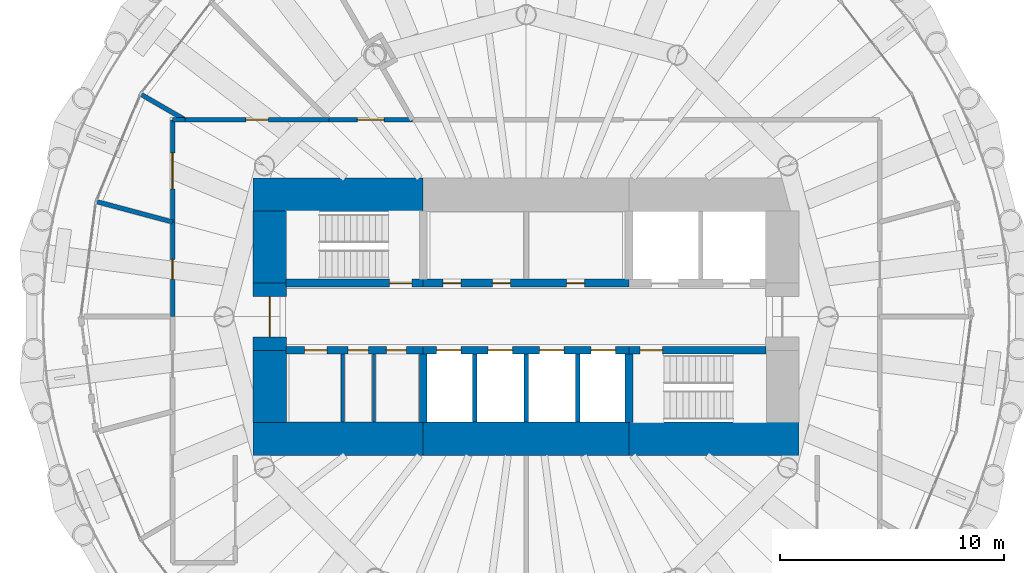
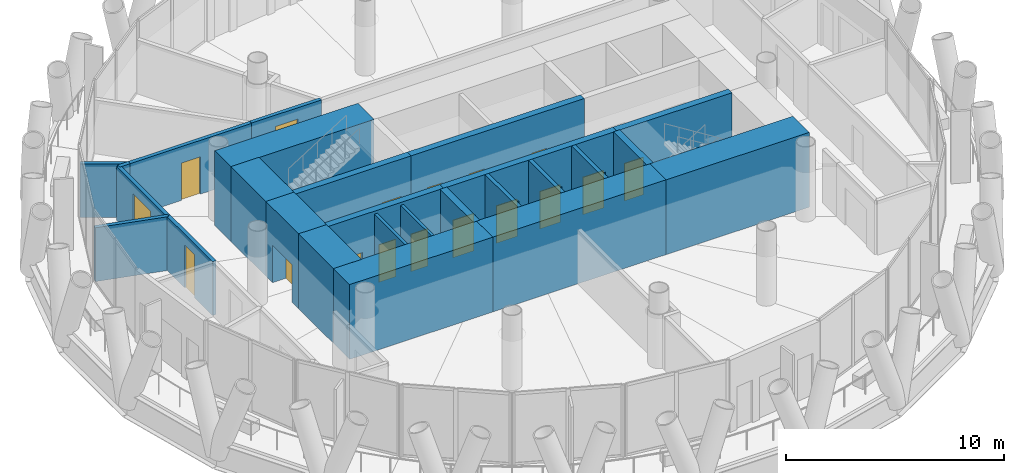
# One storey, part 10 of 16: 26 walls, 17 doors, 17 openings.
"""IFC4 building model written with IfcOpenShell, lengths in metres."""

from ifc_helpers import new_model, si_unit, direction, frame, frame_2d, origin, place, context, subcontext, project, spatial, rectangle, extrude, material, layer, layer_set, type_object, element, fill, save


model = new_model("IFC4")

# Units and contexts
model_context = context("Model", 3, precision=1e-05, world=origin(), true_north=direction((0.0, 1.0)))
body_context = subcontext(model_context, "Body", "Model", "MODEL_VIEW")
ifc_project = project(units=[si_unit("LENGTHUNIT", "METRE"), si_unit("AREAUNIT", "SQUARE_METRE"), si_unit("VOLUMEUNIT", "CUBIC_METRE"), si_unit("PLANEANGLEUNIT", "RADIAN"), si_unit("MASSUNIT", "GRAM", prefix="KILO")], contexts=[model_context])

# Site, building, storey
site_placement = place(None, origin())
site = spatial("IfcSite", under=ifc_project, at=site_placement, CompositionType="ELEMENT")
building_placement = place(site_placement, origin())
building = spatial("IfcBuilding", under=site, at=building_placement, Name="Qaws Media Tower", CompositionType="ELEMENT")
storey_placement = place(building_placement, frame((0.0, 0.0, 252.800048828125)))
storey = spatial("IfcBuildingStorey", under=building, at=storey_placement, Name="L58", CompositionType="ELEMENT", Elevation=252.800048828125)

# Wall, opening, door
ifc_material_1 = material(Name="Concrete C60/75", Category="concrete")
ifc_layer_1 = layer(ifc_material_1, 0.35009765625)
ifc_layer_set_1 = layer_set([ifc_layer_1], Name="Core inner wall 350")
wall_type_1 = type_object("IfcWallType", Name="Core inner wall 350", PredefinedType="SHEAR", material=ifc_layer_set_1)
wall_1_placement = place(storey_placement, frame((49.280029296875, 51.5, 0.0), z_axis=(0.0, 0.0, 1.0), x_axis=(1.0, 0.0, 0.0)))
wall_1 = element("IfcWall", 1, at=wall_1_placement, inside=storey, type_object=wall_type_1, Name="W301 SW5 core wall SPNW L58", PredefinedType="SHEAR", context=body_context, shape_type="SweptSolid", body=[
    extrude(rectangle(XDim=6.119873046875, YDim=0.35009765625, at=frame_2d((3.06005859375, 0.0))), origin(), (0.0, 0.0, 1.0), 4.199951171875),
])
opening_1_placement = place(wall_1_placement, frame((4.6201171875, 0.0, 0.0)))
opening_1 = element("IfcOpeningElement", 2, at=opening_1_placement, cuts=wall_1, Name="Opening D1", PredefinedType="OPENING", context=body_context, shape_type="SweptSolid", body=[
    extrude(rectangle(XDim=1.0, YDim=2.10009765625, at=frame_2d((0.5, 1.050048828125))), frame((0.0, 0.18505859375, 0.0), z_axis=(0.0, -1.0, 0.0), x_axis=(1.0, 0.0, 0.0)), (0.0, 0.0, 1.0), 0.3701171875),
])
ifc_material_2 = material(Name="Steel, fire rated", Category="steel")
door_type_1 = type_object("IfcDoorType", Name="Stair door 1000 FD120", OperationType="SINGLE_SWING_LEFT", PredefinedType="DOOR", material=ifc_material_2)
door_1_placement = place(opening_1_placement, origin())
door_1 = element("IfcDoor", 3, at=door_1_placement, inside=storey, type_object=door_type_1, Name="D1 stair S1 door L58 in wall W301", OperationType="SINGLE_SWING_LEFT", OverallHeight=2.10009765625, OverallWidth=1.0, PredefinedType="DOOR", context=body_context, shape_type="SweptSolid", body=[
    extrude(rectangle(XDim=1.0, YDim=2.10009765625, at=frame_2d((0.5, 1.050048828125))), frame((0.0, 0.02490234375, 0.0), z_axis=(0.0, -1.0, 0.0), x_axis=(1.0, 0.0, 0.0)), (0.0, 0.0, 1.0), 0.050048828125),
])
fill(opening_1, door_1)

# Wall, openings, doors
wall_2_placement = place(storey_placement, frame((55.39990234375, 51.5, 0.0), z_axis=(0.0, 0.0, 1.0), x_axis=(1.0, 0.0, 0.0)))
wall_2 = element("IfcWall", 4, at=wall_2_placement, inside=storey, type_object=wall_type_1, Name="W304 SW5 core wall SPN L58", PredefinedType="SHEAR", context=body_context, shape_type="SweptSolid", body=[
    extrude(rectangle(XDim=9.2001953125, YDim=0.35009765625, at=frame_2d((4.60009765625, 0.0))), origin(), (0.0, 0.0, 1.0), 4.199951171875),
])
opening_2_placement = place(wall_2_placement, frame((0.881103515625, 0.0, 0.0)))
opening_2 = element("IfcOpeningElement", 5, at=opening_2_placement, cuts=wall_2, Name="Opening D23", PredefinedType="OPENING", context=body_context, shape_type="SweptSolid", body=[
    extrude(rectangle(XDim=0.800048828125, YDim=2.10009765625, at=frame_2d((0.39990234375, 1.050048828125))), frame((0.0, 0.18505859375, 0.0), z_axis=(0.0, -1.0, 0.0), x_axis=(1.0, 0.0, 0.0)), (0.0, 0.0, 1.0), 0.3701171875),
])
opening_3_placement = place(wall_2_placement, frame((3.09375, 0.0, 0.0)))
opening_3 = element("IfcOpeningElement", 6, at=opening_3_placement, cuts=wall_2, Name="Opening D23", PredefinedType="OPENING", context=body_context, shape_type="SweptSolid", body=[
    extrude(rectangle(XDim=0.800048828125, YDim=2.10009765625, at=frame_2d((0.39990234375, 1.050048828125))), frame((0.0, 0.18505859375, 0.0), z_axis=(0.0, -1.0, 0.0), x_axis=(1.0, 0.0, 0.0)), (0.0, 0.0, 1.0), 0.3701171875),
])
opening_4_placement = place(wall_2_placement, frame((6.41259765625, 0.0, 0.0)))
opening_4 = element("IfcOpeningElement", 7, at=opening_4_placement, cuts=wall_2, Name="Opening D23", PredefinedType="OPENING", context=body_context, shape_type="SweptSolid", body=[
    extrude(rectangle(XDim=0.800048828125, YDim=2.10009765625, at=frame_2d((0.39990234375, 1.050048828125))), frame((0.0, 0.18505859375, 0.0), z_axis=(0.0, -1.0, 0.0), x_axis=(1.0, 0.0, 0.0)), (0.0, 0.0, 1.0), 0.3701171875),
])
ifc_material_3 = material(Name="Steel, fire rated", Category="steel")
door_type_2 = type_object("IfcDoorType", Name="Core room door 800x2100", OperationType="SINGLE_SWING_LEFT", PredefinedType="DOOR", material=ifc_material_3)
door_2_placement = place(opening_2_placement, origin())
door_2 = element("IfcDoor", 8, at=door_2_placement, inside=storey, type_object=door_type_2, Name="D23 Ladies toilets door L58 1 in wall W304", OperationType="SINGLE_SWING_LEFT", OverallHeight=2.10009765625, OverallWidth=0.800048828125, PredefinedType="DOOR", context=body_context, shape_type="SweptSolid", body=[
    extrude(rectangle(XDim=0.800048828125, YDim=2.10009765625, at=frame_2d((0.39990234375, 1.050048828125))), frame((0.0, 0.02490234375, 0.0), z_axis=(0.0, -1.0, 0.0), x_axis=(1.0, 0.0, 0.0)), (0.0, 0.0, 1.0), 0.050048828125),
])
fill(opening_2, door_2)
door_3_placement = place(opening_3_placement, origin())
door_3 = element("IfcDoor", 9, at=door_3_placement, inside=storey, type_object=door_type_2, Name="D23 Ladies toilets door L58 2 in wall W304", OperationType="SINGLE_SWING_LEFT", OverallHeight=2.10009765625, OverallWidth=0.800048828125, PredefinedType="DOOR", context=body_context, shape_type="SweptSolid", body=[
    extrude(rectangle(XDim=0.800048828125, YDim=2.10009765625, at=frame_2d((0.39990234375, 1.050048828125))), frame((0.0, 0.02490234375, 0.0), z_axis=(0.0, -1.0, 0.0), x_axis=(1.0, 0.0, 0.0)), (0.0, 0.0, 1.0), 0.050048828125),
])
fill(opening_3, door_3)
door_4_placement = place(opening_4_placement, origin())
door_4 = element("IfcDoor", 10, at=door_4_placement, inside=storey, type_object=door_type_2, Name="D23 Gents toilets door L58 in wall W304", OperationType="SINGLE_SWING_LEFT", OverallHeight=2.10009765625, OverallWidth=0.800048828125, PredefinedType="DOOR", context=body_context, shape_type="SweptSolid", body=[
    extrude(rectangle(XDim=0.800048828125, YDim=2.10009765625, at=frame_2d((0.39990234375, 1.050048828125))), frame((0.0, 0.02490234375, 0.0), z_axis=(0.0, -1.0, 0.0), x_axis=(1.0, 0.0, 0.0)), (0.0, 0.0, 1.0), 0.050048828125),
])
fill(opening_4, door_4)

wall_3_placement = place(storey_placement, frame((49.280029296875, 48.5, 0.0), z_axis=(0.0, 0.0, 1.0), x_axis=(1.0, 0.0, 0.0)))
wall_3 = element("IfcWall", 11, at=wall_3_placement, inside=storey, type_object=wall_type_1, Name="W300 SW5 core wall SPSW L58", PredefinedType="SHEAR", context=body_context, shape_type="SweptSolid", body=[
    extrude(rectangle(XDim=6.119873046875, YDim=0.35009765625, at=frame_2d((3.06005859375, 0.0))), origin(), (0.0, 0.0, 1.0), 4.199951171875),
])
opening_5_placement = place(wall_3_placement, frame((0.820068359375, 0.0, 0.0)))
opening_5 = element("IfcOpeningElement", 12, at=opening_5_placement, cuts=wall_3, Name="Opening D4", PredefinedType="OPENING", context=body_context, shape_type="SweptSolid", body=[
    extrude(rectangle(XDim=1.0, YDim=2.10009765625, at=frame_2d((0.5, 1.050048828125))), frame((0.0, 0.18505859375, 0.0), z_axis=(0.0, -1.0, 0.0), x_axis=(1.0, 0.0, 0.0)), (0.0, 0.0, 1.0), 0.3701171875),
])
opening_6_placement = place(wall_3_placement, frame((2.77001953125, 0.0, 0.0)))
opening_6 = element("IfcOpeningElement", 13, at=opening_6_placement, cuts=wall_3, Name="Opening D25", PredefinedType="OPENING", context=body_context, shape_type="SweptSolid", body=[
    extrude(rectangle(XDim=0.89990234375, YDim=2.10009765625, at=frame_2d((0.449951171875, 1.050048828125))), frame((0.0, 0.18505859375, 0.0), z_axis=(0.0, -1.0, 0.0), x_axis=(1.0, 0.0, 0.0)), (0.0, 0.0, 1.0), 0.3701171875),
])
opening_7_placement = place(wall_3_placement, frame((4.469970703125, 0.0, 0.0)))
opening_7 = element("IfcOpeningElement", 14, at=opening_7_placement, cuts=wall_3, Name="Opening D25", PredefinedType="OPENING", context=body_context, shape_type="SweptSolid", body=[
    extrude(rectangle(XDim=0.89990234375, YDim=2.10009765625, at=frame_2d((0.449951171875, 1.050048828125))), frame((0.0, 0.18505859375, 0.0), z_axis=(0.0, -1.0, 0.0), x_axis=(1.0, 0.0, 0.0)), (0.0, 0.0, 1.0), 0.3701171875),
])
ifc_material_4 = material(Name="Timber veneered", Category="wood")
door_type_3 = type_object("IfcDoorType", Name="Accessible WC door 1000", OperationType="SLIDING_TO_LEFT", PredefinedType="DOOR", material=ifc_material_4)
door_5_placement = place(opening_5_placement, origin())
door_5 = element("IfcDoor", 15, at=door_5_placement, inside=storey, type_object=door_type_3, Name="D4 toilet door 1 L58 in wall W300", OperationType="SLIDING_TO_LEFT", OverallHeight=2.10009765625, OverallWidth=1.0, PredefinedType="DOOR", context=body_context, shape_type="SweptSolid", body=[
    extrude(rectangle(XDim=1.0, YDim=2.10009765625, at=frame_2d((0.5, 1.050048828125))), frame((0.0, 0.02490234375, 0.0), z_axis=(0.0, -1.0, 0.0), x_axis=(1.0, 0.0, 0.0)), (0.0, 0.0, 1.0), 0.050048828125),
])
fill(opening_5, door_5)
ifc_material_5 = material(Name="Steel, fire rated", Category="steel")
door_type_4 = type_object("IfcDoorType", Name="Core service door 900", OperationType="SINGLE_SWING_RIGHT", PredefinedType="DOOR", material=ifc_material_5)
door_6_placement = place(opening_6_placement, origin())
door_6 = element("IfcDoor", 16, at=door_6_placement, inside=storey, type_object=door_type_4, Name="D25 toilet door 2 L58 in wall W300", OperationType="SINGLE_SWING_RIGHT", OverallHeight=2.10009765625, OverallWidth=0.89990234375, PredefinedType="DOOR", context=body_context, shape_type="SweptSolid", body=[
    extrude(rectangle(XDim=0.89990234375, YDim=2.10009765625, at=frame_2d((0.449951171875, 1.050048828125))), frame((0.0, 0.02490234375, 0.0), z_axis=(0.0, -1.0, 0.0), x_axis=(1.0, 0.0, 0.0)), (0.0, 0.0, 1.0), 0.050048828125),
])
fill(opening_6, door_6)
door_7_placement = place(opening_7_placement, origin())
door_7 = element("IfcDoor", 17, at=door_7_placement, inside=storey, type_object=door_type_4, Name="D25 toilet door 3 L58 in wall W300", OperationType="SINGLE_SWING_RIGHT", OverallHeight=2.10009765625, OverallWidth=0.89990234375, PredefinedType="DOOR", context=body_context, shape_type="SweptSolid", body=[
    extrude(rectangle(XDim=0.89990234375, YDim=2.10009765625, at=frame_2d((0.449951171875, 1.050048828125))), frame((0.0, 0.02490234375, 0.0), z_axis=(0.0, -1.0, 0.0), x_axis=(1.0, 0.0, 0.0)), (0.0, 0.0, 1.0), 0.050048828125),
])
fill(opening_7, door_7)

wall_4_placement = place(storey_placement, frame((55.39990234375, 48.5, 0.0), z_axis=(0.0, 0.0, 1.0), x_axis=(1.0, 0.0, 0.0)))
wall_4 = element("IfcWall", 18, at=wall_4_placement, inside=storey, type_object=wall_type_1, Name="W303 SW5 core wall SPS L58", PredefinedType="SHEAR", context=body_context, shape_type="SweptSolid", body=[
    extrude(rectangle(XDim=9.2001953125, YDim=0.35009765625, at=frame_2d((4.60009765625, 0.0))), origin(), (0.0, 0.0, 1.0), 4.199951171875),
])
opening_8_placement = place(wall_4_placement, frame((0.60009765625, 0.0, 0.0)))
opening_8 = element("IfcOpeningElement", 19, at=opening_8_placement, cuts=wall_4, Name="Opening LD", PredefinedType="OPENING", context=body_context, shape_type="SweptSolid", body=[
    extrude(rectangle(XDim=1.10009765625, YDim=2.10009765625, at=frame_2d((0.550048828125, 1.050048828125))), frame((0.0, 0.18505859375, 0.0), z_axis=(0.0, -1.0, 0.0), x_axis=(1.0, 0.0, 0.0)), (0.0, 0.0, 1.0), 0.3701171875),
])
opening_9_placement = place(wall_4_placement, frame((2.89990234375, 0.0, 0.0)))
opening_9 = element("IfcOpeningElement", 20, at=opening_9_placement, cuts=wall_4, Name="Opening LD", PredefinedType="OPENING", context=body_context, shape_type="SweptSolid", body=[
    extrude(rectangle(XDim=1.10009765625, YDim=2.10009765625, at=frame_2d((0.550048828125, 1.050048828125))), frame((0.0, 0.18505859375, 0.0), z_axis=(0.0, -1.0, 0.0), x_axis=(1.0, 0.0, 0.0)), (0.0, 0.0, 1.0), 0.3701171875),
])
opening_10_placement = place(wall_4_placement, frame((5.199951171875, 0.0, 0.0)))
opening_10 = element("IfcOpeningElement", 21, at=opening_10_placement, cuts=wall_4, Name="Opening LD", PredefinedType="OPENING", context=body_context, shape_type="SweptSolid", body=[
    extrude(rectangle(XDim=1.10009765625, YDim=2.10009765625, at=frame_2d((0.550048828125, 1.050048828125))), frame((0.0, 0.18505859375, 0.0), z_axis=(0.0, -1.0, 0.0), x_axis=(1.0, 0.0, 0.0)), (0.0, 0.0, 1.0), 0.3701171875),
])
opening_11_placement = place(wall_4_placement, frame((7.5, 0.0, 0.0)))
opening_11 = element("IfcOpeningElement", 22, at=opening_11_placement, cuts=wall_4, Name="Opening LD", PredefinedType="OPENING", context=body_context, shape_type="SweptSolid", body=[
    extrude(rectangle(XDim=1.10009765625, YDim=2.10009765625, at=frame_2d((0.550048828125, 1.050048828125))), frame((0.0, 0.18505859375, 0.0), z_axis=(0.0, -1.0, 0.0), x_axis=(1.0, 0.0, 0.0)), (0.0, 0.0, 1.0), 0.3701171875),
])
ifc_material_6 = material(Name="Steel, fire rated", Category="steel")
door_type_5 = type_object("IfcDoorType", Name="Lift landing door 1100", OperationType="SLIDING_TO_LEFT", PredefinedType="DOOR", material=ifc_material_6)
door_8_placement = place(opening_8_placement, origin())
door_8 = element("IfcDoor", 23, at=door_8_placement, inside=storey, type_object=door_type_5, Name="P5 landing door L58 in wall W303", OperationType="SLIDING_TO_LEFT", OverallHeight=2.10009765625, OverallWidth=1.10009765625, PredefinedType="DOOR", context=body_context, shape_type="SweptSolid", body=[
    extrude(rectangle(XDim=1.10009765625, YDim=2.10009765625, at=frame_2d((0.550048828125, 1.050048828125))), frame((0.0, 0.02490234375, 0.0), z_axis=(0.0, -1.0, 0.0), x_axis=(1.0, 0.0, 0.0)), (0.0, 0.0, 1.0), 0.050048828125),
])
fill(opening_8, door_8)
door_9_placement = place(opening_9_placement, origin())
door_9 = element("IfcDoor", 24, at=door_9_placement, inside=storey, type_object=door_type_5, Name="P6 landing door L58 in wall W303", OperationType="SLIDING_TO_LEFT", OverallHeight=2.10009765625, OverallWidth=1.10009765625, PredefinedType="DOOR", context=body_context, shape_type="SweptSolid", body=[
    extrude(rectangle(XDim=1.10009765625, YDim=2.10009765625, at=frame_2d((0.550048828125, 1.050048828125))), frame((0.0, 0.02490234375, 0.0), z_axis=(0.0, -1.0, 0.0), x_axis=(1.0, 0.0, 0.0)), (0.0, 0.0, 1.0), 0.050048828125),
])
fill(opening_9, door_9)
door_10_placement = place(opening_10_placement, origin())
door_10 = element("IfcDoor", 25, at=door_10_placement, inside=storey, type_object=door_type_5, Name="P7 landing door L58 in wall W303", OperationType="SLIDING_TO_LEFT", OverallHeight=2.10009765625, OverallWidth=1.10009765625, PredefinedType="DOOR", context=body_context, shape_type="SweptSolid", body=[
    extrude(rectangle(XDim=1.10009765625, YDim=2.10009765625, at=frame_2d((0.550048828125, 1.050048828125))), frame((0.0, 0.02490234375, 0.0), z_axis=(0.0, -1.0, 0.0), x_axis=(1.0, 0.0, 0.0)), (0.0, 0.0, 1.0), 0.050048828125),
])
fill(opening_10, door_10)
door_11_placement = place(opening_11_placement, origin())
door_11 = element("IfcDoor", 26, at=door_11_placement, inside=storey, type_object=door_type_5, Name="P8 landing door L58 in wall W303", OperationType="SLIDING_TO_LEFT", OverallHeight=2.10009765625, OverallWidth=1.10009765625, PredefinedType="DOOR", context=body_context, shape_type="SweptSolid", body=[
    extrude(rectangle(XDim=1.10009765625, YDim=2.10009765625, at=frame_2d((0.550048828125, 1.050048828125))), frame((0.0, 0.02490234375, 0.0), z_axis=(0.0, -1.0, 0.0), x_axis=(1.0, 0.0, 0.0)), (0.0, 0.0, 1.0), 0.050048828125),
])
fill(opening_11, door_11)

# Wall, opening, door
wall_5_placement = place(storey_placement, frame((64.60009765625, 48.5, 0.0), z_axis=(0.0, 0.0, 1.0), x_axis=(1.0, 0.0, 0.0)))
wall_5 = element("IfcWall", 27, at=wall_5_placement, inside=storey, type_object=wall_type_1, Name="W307 SW5 core wall SPSE L58", PredefinedType="SHEAR", context=body_context, shape_type="SweptSolid", body=[
    extrude(rectangle(XDim=6.119873046875, YDim=0.35009765625, at=frame_2d((3.06005859375, 0.0))), origin(), (0.0, 0.0, 1.0), 4.199951171875),
])
opening_12_placement = place(wall_5_placement, frame((0.5, 0.0, 0.0)))
opening_12 = element("IfcOpeningElement", 28, at=opening_12_placement, cuts=wall_5, Name="Opening D1", PredefinedType="OPENING", context=body_context, shape_type="SweptSolid", body=[
    extrude(rectangle(XDim=1.0, YDim=2.10009765625, at=frame_2d((0.5, 1.050048828125))), frame((0.0, 0.18505859375, 0.0), z_axis=(0.0, -1.0, 0.0), x_axis=(1.0, 0.0, 0.0)), (0.0, 0.0, 1.0), 0.3701171875),
])
door_12_placement = place(opening_12_placement, origin())
door_12 = element("IfcDoor", 29, at=door_12_placement, inside=storey, type_object=door_type_1, Name="D1 stair S2 door L58 in wall W307", OperationType="SINGLE_SWING_LEFT", OverallHeight=2.10009765625, OverallWidth=1.0, PredefinedType="DOOR", context=body_context, shape_type="SweptSolid", body=[
    extrude(rectangle(XDim=1.0, YDim=2.10009765625, at=frame_2d((0.5, 1.050048828125))), frame((0.0, 0.02490234375, 0.0), z_axis=(0.0, -1.0, 0.0), x_axis=(1.0, 0.0, 0.0)), (0.0, 0.0, 1.0), 0.050048828125),
])
fill(opening_12, door_12)

# Walls
for number, where, z_axis, x_axis, name in (
    (30, (55.39990234375, 48.344970703125, 0.0), (0.0, 0.0, 1.0), (0.0, -1.0, 0.0), "W302 SW5 core wall XSW L58"),
    (31, (64.60009765625, 48.344970703125, 0.0), (0.0, 0.0, 1.0), (0.0, -1.0, 0.0), "W306 SW5 core wall XSE L58"),
):
    element("IfcWall", number, at=place(storey_placement, frame(where, z_axis=z_axis, x_axis=x_axis)), inside=storey, type_object=wall_type_1, Name=name, PredefinedType="SHEAR", context=body_context, shape_type="SweptSolid", body=[
        extrude(rectangle(XDim=3.06494140625, YDim=0.35009765625, at=frame_2d((1.532470703125, 0.0))), origin(), (0.0, 0.0, 1.0), 4.199951171875),
    ])
ifc_material_7 = material(Name="Concrete C60/75", Category="concrete")
ifc_layer_2 = layer(ifc_material_7, 1.5)
ifc_layer_set_2 = layer_set([ifc_layer_2], Name="Core wall 1500")
wall_type_2 = type_object("IfcWallType", Name="Core wall 1500", PredefinedType="SHEAR", material=ifc_layer_set_2)
for number, where, z_axis, x_axis, name in (
    (32, (47.800048828125, 55.449951171875, 0.0), (0.0, 0.0, 1.0), (1.0, 0.0, 0.0), "W377 SW13 core wall NW L58"),
    (33, (47.800048828125, 44.550048828125, 0.0), (0.0, 0.0, 1.0), (1.0, 0.0, 0.0), "W376 SW13 core wall SW L58"),
):
    element("IfcWall", number, at=place(storey_placement, frame(where, z_axis=z_axis, x_axis=x_axis)), inside=storey, type_object=wall_type_2, Name=name, PredefinedType="SHEAR", context=body_context, shape_type="SweptSolid", body=[
        extrude(rectangle(XDim=7.599853515625, YDim=1.5, at=frame_2d((3.7998046875, 0.0))), origin(), (0.0, 0.0, 1.0), 4.199951171875),
    ])
wall_6_placement = place(storey_placement, frame((55.39990234375, 44.550048828125, 0.0), z_axis=(0.0, 0.0, 1.0), x_axis=(1.0, 0.0, 0.0)))
element("IfcWall", 34, at=wall_6_placement, inside=storey, type_object=wall_type_2, Name="W372 SW13 core wall S L58", PredefinedType="SHEAR", context=body_context, shape_type="SweptSolid", body=[
    extrude(rectangle(XDim=9.2001953125, YDim=1.5, at=frame_2d((4.60009765625, 0.0))), origin(), (0.0, 0.0, 1.0), 4.199951171875),
])
wall_7_placement = place(storey_placement, frame((64.60009765625, 44.550048828125, 0.0), z_axis=(0.0, 0.0, 1.0), x_axis=(1.0, 0.0, 0.0)))
element("IfcWall", 35, at=wall_7_placement, inside=storey, type_object=wall_type_2, Name="W381 SW13 core wall SE L58", PredefinedType="SHEAR", context=body_context, shape_type="SweptSolid", body=[
    extrude(rectangle(XDim=7.599853515625, YDim=1.5, at=frame_2d((3.7998046875, 0.0))), origin(), (0.0, 0.0, 1.0), 4.199951171875),
])
wall_8_placement = place(storey_placement, frame((48.550048828125, 45.280029296875, 0.0), z_axis=(0.0, 0.0, 1.0), x_axis=(0.0, 1.0, 0.0)))
element("IfcWall", 36, at=wall_8_placement, inside=storey, type_object=wall_type_2, Name="W378 SW13 core wall WS L58", PredefinedType="SHEAR", context=body_context, shape_type="SweptSolid", body=[
    extrude(rectangle(XDim=3.219970703125, YDim=1.5, at=frame_2d((1.60986328125, 0.0))), origin(), (0.0, 0.0, 1.0), 4.199951171875),
])

# Wall, opening, door
wall_9_placement = place(storey_placement, frame((48.550048828125, 48.5, 0.0), z_axis=(0.0, 0.0, 1.0), x_axis=(0.0, 1.0, 0.0)))
wall_9 = element("IfcWall", 37, at=wall_9_placement, inside=storey, type_object=wall_type_2, Name="W379 SW13 core wall W L58", PredefinedType="SHEAR", context=body_context, shape_type="SweptSolid", body=[
    extrude(rectangle(XDim=3.0, YDim=1.5, at=frame_2d((1.5, 0.0))), origin(), (0.0, 0.0, 1.0), 4.199951171875),
])
opening_13_placement = place(wall_9_placement, frame((0.60009765625, 0.0, 0.0)))
opening_13 = element("IfcOpeningElement", 38, at=opening_13_placement, cuts=wall_9, Name="Opening D2", PredefinedType="OPENING", context=body_context, shape_type="SweptSolid", body=[
    extrude(rectangle(XDim=1.800048828125, YDim=2.10009765625, at=frame_2d((0.89990234375, 1.050048828125))), frame((0.0, 0.760009765625, 0.0), z_axis=(0.0, -1.0, 0.0), x_axis=(1.0, 0.0, 0.0)), (0.0, 0.0, 1.0), 1.52001953125),
])
ifc_material_8 = material(Name="Steel and glass, fire rated", Category="steel")
door_type_6 = type_object("IfcDoorType", Name="Lobby door pair 1800 FD60", OperationType="DOUBLE_DOOR_DOUBLE_SWING", PredefinedType="DOOR", material=ifc_material_8)
door_13_placement = place(opening_13_placement, origin())
door_13 = element("IfcDoor", 39, at=door_13_placement, inside=storey, type_object=door_type_6, Name="D2 core lobby door W L58 in wall W379", OperationType="DOUBLE_DOOR_DOUBLE_SWING", OverallHeight=2.10009765625, OverallWidth=1.800048828125, PredefinedType="DOOR", context=body_context, shape_type="SweptSolid", body=[
    extrude(rectangle(XDim=1.800048828125, YDim=2.10009765625, at=frame_2d((0.89990234375, 1.050048828125))), frame((0.0, 0.02490234375, 0.0), z_axis=(0.0, -1.0, 0.0), x_axis=(1.0, 0.0, 0.0)), (0.0, 0.0, 1.0), 0.050048828125),
])
fill(opening_13, door_13)

# Walls
wall_10_placement = place(storey_placement, frame((48.550048828125, 51.5, 0.0), z_axis=(0.0, 0.0, 1.0), x_axis=(0.0, 1.0, 0.0)))
element("IfcWall", 40, at=wall_10_placement, inside=storey, type_object=wall_type_2, Name="W380 SW13 core wall WN L58", PredefinedType="SHEAR", context=body_context, shape_type="SweptSolid", body=[
    extrude(rectangle(XDim=3.219970703125, YDim=1.5, at=frame_2d((1.60986328125, 0.0))), origin(), (0.0, 0.0, 1.0), 4.199951171875),
])
ifc_material_9 = material(Name="Gypsum board on galvanised metal studs, acoustic double stud, deflection head", Category="gypsum")
ifc_layer_3 = layer(ifc_material_9, 0.199951171875)
ifc_layer_set_3 = layer_set([ifc_layer_3], Name="Room partition 200")
wall_type_3 = type_object("IfcWallType", Name="Room partition 200", PredefinedType="PARTITIONING", material=ifc_layer_set_3)
wall_11_placement = place(storey_placement, frame((44.199951171875, 58.800048828125, 0.0), z_axis=(0.0, 0.0, 1.0), x_axis=(1.0, 0.0, 0.0)))
element("IfcWall", 41, at=wall_11_placement, inside=storey, type_object=wall_type_3, Name="W1613 IW3 partition L58", PredefinedType="PARTITIONING", context=body_context, shape_type="SweptSolid", body=[
    extrude(rectangle(XDim=0.55810546875, YDim=0.199951171875, at=frame_2d((0.279052734375, 0.0))), origin(), (0.0, 0.0, 1.0), 3.02001953125),
])

# Wall, opening, door
wall_12_placement = place(storey_placement, frame((44.758056640625, 58.800048828125, 0.0), z_axis=(0.0, 0.0, 1.0), x_axis=(1.0, 0.0, 0.0)))
wall_12 = element("IfcWall", 42, at=wall_12_placement, inside=storey, type_object=wall_type_3, Name="W1615 IW3 partition L58", PredefinedType="PARTITIONING", context=body_context, shape_type="SweptSolid", body=[
    extrude(rectangle(XDim=6.44189453125, YDim=0.199951171875, at=frame_2d((3.220947265625, 0.0))), origin(), (0.0, 0.0, 1.0), 3.02001953125),
])
opening_14_placement = place(wall_12_placement, frame((2.720947265625, 0.0, 0.0)))
opening_14 = element("IfcOpeningElement", 43, at=opening_14_placement, cuts=wall_12, Name="Opening D5", PredefinedType="OPENING", context=body_context, shape_type="SweptSolid", body=[
    extrude(rectangle(XDim=1.0, YDim=2.10009765625, at=frame_2d((0.5, 1.050048828125))), frame((0.0, 0.10986328125, 0.0), z_axis=(0.0, -1.0, 0.0), x_axis=(1.0, 0.0, 0.0)), (0.0, 0.0, 1.0), 0.219970703125),
])
ifc_material_10 = material(Name="Timber veneered, acoustic seal", Category="wood")
door_type_7 = type_object("IfcDoorType", Name="Room door 1000", OperationType="SINGLE_SWING_LEFT", PredefinedType="DOOR", material=ifc_material_10)
door_14_placement = place(opening_14_placement, origin())
door_14 = element("IfcDoor", 44, at=door_14_placement, inside=storey, type_object=door_type_7, Name="D5 Edit room door L58 in wall W1615", OperationType="SINGLE_SWING_LEFT", OverallHeight=2.10009765625, OverallWidth=1.0, PredefinedType="DOOR", context=body_context, shape_type="SweptSolid", body=[
    extrude(rectangle(XDim=1.0, YDim=2.10009765625, at=frame_2d((0.5, 1.050048828125))), frame((0.0, 0.02490234375, 0.0), z_axis=(0.0, -1.0, 0.0), x_axis=(1.0, 0.0, 0.0)), (0.0, 0.0, 1.0), 0.050048828125),
])
fill(opening_14, door_14)

wall_13_placement = place(storey_placement, frame((51.199951171875, 58.800048828125, 0.0), z_axis=(0.0, 0.0, 1.0), x_axis=(1.0, 0.0, 0.0)))
wall_13 = element("IfcWall", 45, at=wall_13_placement, inside=storey, type_object=wall_type_3, Name="W1529 IW3 partition L58", PredefinedType="PARTITIONING", context=body_context, shape_type="SweptSolid", body=[
    extrude(rectangle(XDim=3.71923828125, YDim=0.199951171875, at=frame_2d((1.859619140625, 0.0))), origin(), (0.0, 0.0, 1.0), 3.0400390625),
])
opening_15_placement = place(wall_13_placement, frame((1.259765625, 0.0, 0.0)))
opening_15 = element("IfcOpeningElement", 46, at=opening_15_placement, cuts=wall_13, Name="Opening D14", PredefinedType="OPENING", context=body_context, shape_type="SweptSolid", body=[
    extrude(rectangle(XDim=1.199951171875, YDim=2.39990234375, at=frame_2d((0.60009765625, 1.199951171875))), frame((0.0, 0.10986328125, 0.0), z_axis=(0.0, -1.0, 0.0), x_axis=(1.0, 0.0, 0.0)), (0.0, 0.0, 1.0), 0.219970703125),
])
ifc_material_11 = material(Name="Steel acoustic door set, Rw 45", Category="steel")
door_type_8 = type_object("IfcDoorType", Name="Acoustic door 1200x2400 Rw 45", OperationType="SINGLE_SWING_LEFT", PredefinedType="DOOR", material=ifc_material_11)
door_15_placement = place(opening_15_placement, origin())
door_15 = element("IfcDoor", 47, at=door_15_placement, inside=storey, type_object=door_type_8, Name="D14 Broadcast booth door L58 in wall W1529", OperationType="SINGLE_SWING_LEFT", OverallHeight=2.39990234375, OverallWidth=1.199951171875, PredefinedType="DOOR", context=body_context, shape_type="SweptSolid", body=[
    extrude(rectangle(XDim=1.199951171875, YDim=2.39990234375, at=frame_2d((0.60009765625, 1.199951171875))), frame((0.0, 0.02490234375, 0.0), z_axis=(0.0, -1.0, 0.0), x_axis=(1.0, 0.0, 0.0)), (0.0, 0.0, 1.0), 0.050048828125),
])
fill(opening_15, door_15)

wall_14_placement = place(storey_placement, frame((44.199951171875, 50.0, 0.0), z_axis=(0.0, 0.0, 1.0), x_axis=(0.0, 1.0, 0.0)))
wall_14 = element("IfcWall", 48, at=wall_14_placement, inside=storey, type_object=wall_type_3, Name="W1690 IW3 partition L58", PredefinedType="PARTITIONING", context=body_context, shape_type="SweptSolid", body=[
    extrude(rectangle(XDim=4.233642578125, YDim=0.199951171875, at=frame_2d((2.11669921875, 0.0))), origin(), (0.0, 0.0, 1.0), 3.02001953125),
])
opening_16_placement = place(wall_14_placement, frame((1.666748046875, 0.0, 0.0)))
opening_16 = element("IfcOpeningElement", 49, at=opening_16_placement, cuts=wall_14, Name="Opening D12", PredefinedType="OPENING", context=body_context, shape_type="SweptSolid", body=[
    extrude(rectangle(XDim=0.89990234375, YDim=2.39990234375, at=frame_2d((0.449951171875, 1.199951171875))), frame((0.0, 0.10986328125, 0.0), z_axis=(0.0, -1.0, 0.0), x_axis=(1.0, 0.0, 0.0)), (0.0, 0.0, 1.0), 0.219970703125),
])
ifc_material_12 = material(Name="Timber veneered, full height", Category="wood")
door_type_9 = type_object("IfcDoorType", Name="Office door 900x2400", OperationType="SINGLE_SWING_LEFT", PredefinedType="DOOR", material=ifc_material_12)
door_16_placement = place(opening_16_placement, origin())
door_16 = element("IfcDoor", 50, at=door_16_placement, inside=storey, type_object=door_type_9, Name="D12 Office door L58 in wall W1690", OperationType="SINGLE_SWING_LEFT", OverallHeight=2.39990234375, OverallWidth=0.89990234375, PredefinedType="DOOR", context=body_context, shape_type="SweptSolid", body=[
    extrude(rectangle(XDim=0.89990234375, YDim=2.39990234375, at=frame_2d((0.449951171875, 1.199951171875))), frame((0.0, 0.02490234375, 0.0), z_axis=(0.0, -1.0, 0.0), x_axis=(1.0, 0.0, 0.0)), (0.0, 0.0, 1.0), 0.050048828125),
])
fill(opening_16, door_16)

wall_15_placement = place(storey_placement, frame((44.199951171875, 54.233642578125, 0.0), z_axis=(0.0, 0.0, 1.0), x_axis=(0.0, 1.0, 0.0)))
wall_15 = element("IfcWall", 51, at=wall_15_placement, inside=storey, type_object=wall_type_3, Name="W1612 IW3 partition L58", PredefinedType="PARTITIONING", context=body_context, shape_type="SweptSolid", body=[
    extrude(rectangle(XDim=4.56640625, YDim=0.199951171875, at=frame_2d((2.283203125, 0.0))), origin(), (0.0, 0.0, 1.0), 3.02001953125),
])
opening_17_placement = place(wall_15_placement, frame((1.483154296875, 0.0, 0.0)))
opening_17 = element("IfcOpeningElement", 52, at=opening_17_placement, cuts=wall_15, Name="Opening D16", PredefinedType="OPENING", context=body_context, shape_type="SweptSolid", body=[
    extrude(rectangle(XDim=1.60009765625, YDim=2.39990234375, at=frame_2d((0.800048828125, 1.199951171875))), frame((0.0, 0.10986328125, 0.0), z_axis=(0.0, -1.0, 0.0), x_axis=(1.0, 0.0, 0.0)), (0.0, 0.0, 1.0), 0.219970703125),
])
ifc_material_13 = material(Name="Glazed aluminium, fire rated", Category="aluminium")
door_type_10 = type_object("IfcDoorType", Name="Tenant entrance door pair 1600x2400", OperationType="DOUBLE_DOOR_DOUBLE_SWING", PredefinedType="DOOR", material=ifc_material_13)
door_17_placement = place(opening_17_placement, origin())
door_17 = element("IfcDoor", 53, at=door_17_placement, inside=storey, type_object=door_type_10, Name="D16 Bureau reception door L58 in wall W1612", OperationType="DOUBLE_DOOR_DOUBLE_SWING", OverallHeight=2.39990234375, OverallWidth=1.60009765625, PredefinedType="DOOR", context=body_context, shape_type="SweptSolid", body=[
    extrude(rectangle(XDim=1.60009765625, YDim=2.39990234375, at=frame_2d((0.800048828125, 1.199951171875))), frame((0.0, 0.02490234375, 0.0), z_axis=(0.0, -1.0, 0.0), x_axis=(1.0, 0.0, 0.0)), (0.0, 0.0, 1.0), 0.050048828125),
])
fill(opening_17, door_17)

# Walls
wall_16_placement = place(storey_placement, frame((44.758056640625, 58.800048828125, 0.0), z_axis=(0.0, 0.0, 1.0), x_axis=(-0.866054268906, 0.49995000081, 0.0)))
element("IfcWall", 54, at=wall_16_placement, inside=storey, type_object=wall_type_3, Name="W1692 IW3 partition L58", PredefinedType="PARTITIONING", context=body_context, shape_type="SweptSolid", body=[
    extrude(rectangle(XDim=2.260009765625, YDim=0.199951171875, at=frame_2d((1.1298828125, 0.0))), origin(), (0.0, 0.0, 1.0), 3.02001953125),
])
wall_17_placement = place(storey_placement, frame((44.197509765625, 54.234375, 0.0), z_axis=(0.0, 0.0, 1.0), x_axis=(-0.965935598249, 0.258782572899, 0.0)))
element("IfcWall", 55, at=wall_17_placement, inside=storey, type_object=wall_type_3, Name="W1689 IW3 partition L58", PredefinedType="PARTITIONING", context=body_context, shape_type="SweptSolid", body=[
    extrude(rectangle(XDim=3.5, YDim=0.199951171875, at=frame_2d((1.75, 0.0))), origin(), (0.0, 0.0, 1.0), 3.02001953125),
])
ifc_material_14 = material(Name="Fire-rated gypsum board shaft wall on galvanised metal studs, deflection head", Category="gypsum")
ifc_layer_4 = layer(ifc_material_14, 0.199951171875)
ifc_layer_set_4 = layer_set([ifc_layer_4], Name="Shaft wall 200")
wall_type_4 = type_object("IfcWallType", Name="Shaft wall 200", PredefinedType="PARTITIONING", material=ifc_layer_set_4)
for number, where, z_axis, x_axis, name in (
    (56, (57.699951171875, 45.300048828125, 0.0), (0.0, 0.0, 1.0), (0.0, 1.0, 0.0), "W1871 IW1 shaft wall S1 L58"),
    (57, (60.0, 45.300048828125, 0.0), (0.0, 0.0, 1.0), (0.0, 1.0, 0.0), "W1872 IW1 shaft wall S2 L58"),
    (58, (62.300048828125, 45.300048828125, 0.0), (0.0, 0.0, 1.0), (0.0, 1.0, 0.0), "W1873 IW1 shaft wall S3 L58"),
):
    element("IfcWall", number, at=place(storey_placement, frame(where, z_axis=z_axis, x_axis=x_axis)), inside=storey, type_object=wall_type_4, Name=name, PredefinedType="PARTITIONING", context=body_context, shape_type="SweptSolid", body=[
        extrude(rectangle(XDim=3.02490234375, YDim=0.199951171875, at=frame_2d((1.512451171875, 0.0))), origin(), (0.0, 0.0, 1.0), 4.199951171875),
    ])
ifc_material_15 = material(Name="Gypsum board on galvanised metal studs, deflection head", Category="gypsum")
ifc_layer_5 = layer(ifc_material_15, 0.14990234375)
ifc_layer_set_5 = layer_set([ifc_layer_5], Name="WC partition 150")
wall_type_5 = type_object("IfcWallType", Name="WC partition 150", PredefinedType="PARTITIONING", material=ifc_layer_set_5)
for number, where, z_axis, x_axis, name in (
    (59, (51.800048828125, 45.300048828125, 0.0), (0.0, 0.0, 1.0), (0.0, 1.0, 0.0), "W1922 IW2 toilet partition 1 L58"),
    (60, (53.199951171875, 45.300048828125, 0.0), (0.0, 0.0, 1.0), (0.0, 1.0, 0.0), "W1924 IW2 toilet partition 2 L58"),
):
    element("IfcWall", number, at=place(storey_placement, frame(where, z_axis=z_axis, x_axis=x_axis)), inside=storey, type_object=wall_type_5, Name=name, PredefinedType="PARTITIONING", context=body_context, shape_type="SweptSolid", body=[
        extrude(rectangle(XDim=3.02490234375, YDim=0.14990234375, at=frame_2d((1.512451171875, 0.0))), origin(), (0.0, 0.0, 1.0), 4.0400390625),
    ])

save(model, "model.ifc")
